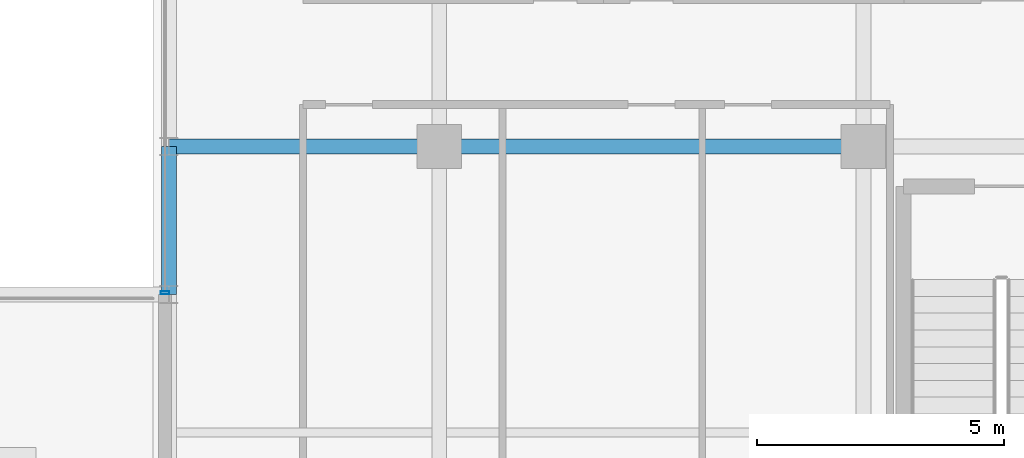
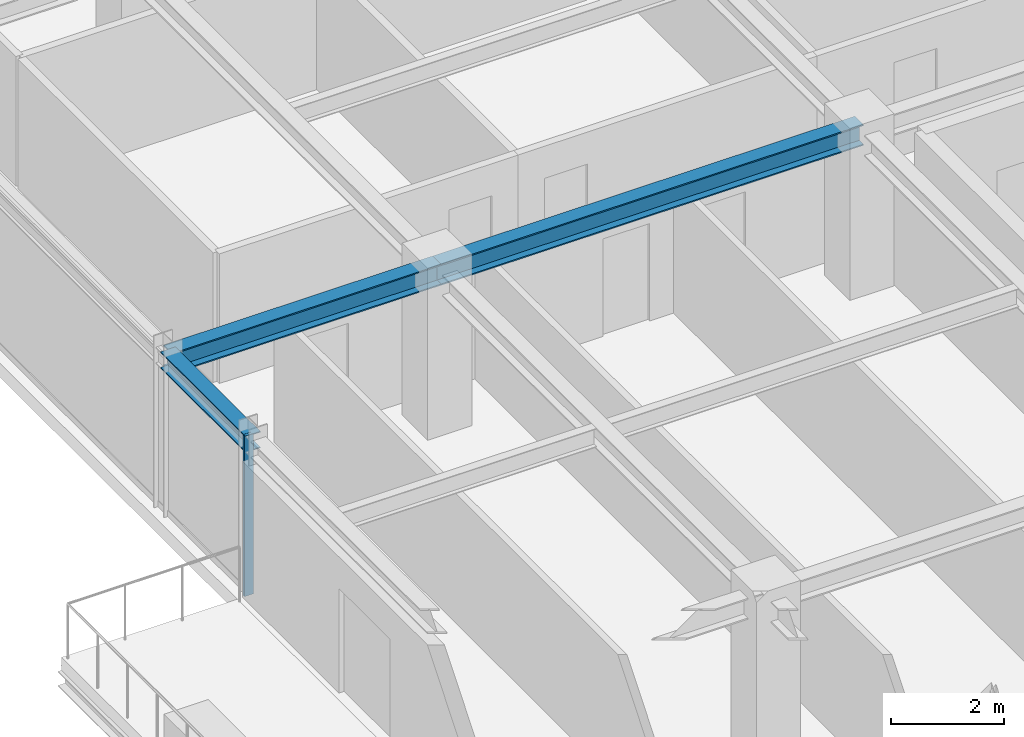
# One storey, part 9 of 31: 3 beams, 1 member, 1 element without a shape of its own.
"""IFC4 building model written with IfcOpenShell, lengths in metres."""

from ifc_helpers import new_model, si_unit, direction, frame, origin, origin_2d, place, context, subcontext, project, spatial, hollow_rectangle, i_section, extrude, source, transform, mapped, material, material_profile, profile_set, type_object, element, aggregate, save


model = new_model("IFC4")

# Units and contexts
model_context = context("Model", 3, precision=1e-05, world=origin(), true_north=direction((0.0, 1.0)))
body_context = subcontext(model_context, "Body", "Model", "MODEL_VIEW")
ifc_project = project(units=[si_unit("LENGTHUNIT", "METRE"), si_unit("AREAUNIT", "SQUARE_METRE"), si_unit("VOLUMEUNIT", "CUBIC_METRE"), si_unit("PLANEANGLEUNIT", "RADIAN"), si_unit("MASSUNIT", "GRAM", prefix="KILO")], contexts=[model_context])

# Site, building, storey
site_placement = place(None, origin())
site = spatial("IfcSite", under=ifc_project, at=site_placement, CompositionType="ELEMENT")
building_placement = place(site_placement, origin())
building = spatial("IfcBuilding", under=site, at=building_placement, Name="Nahalor Promenade Grand Hotel", CompositionType="ELEMENT")
storey_placement = place(building_placement, frame((0.0, 0.0, 277.550048828125)))
storey = spatial("IfcBuildingStorey", under=building, at=storey_placement, Name="L71", CompositionType="ELEMENT", Elevation=277.550048828125)

# Beams
ifc_material_1 = material(Name="Steel S355JR", Category="steel")
ifc_material_profile_1 = material_profile(ifc_material_1, i_section(OverallWidth=0.3, OverallDepth=0.45, WebThickness=0.014, FlangeThickness=0.026, at=origin_2d()), Name="HEB 450")
ifc_profile_set_1 = profile_set([ifc_material_profile_1], Name="Steel S355JR")
beam_type_1 = type_object("IfcBeamType", Name="Beam-Girder-HEB450", PredefinedType="BEAM", material=ifc_profile_set_1)
shared_shape_1 = source(origin(), body_context, "Body", "SweptSolid", [
    extrude(i_section(OverallWidth=0.3, OverallDepth=0.45, WebThickness=0.014, FlangeThickness=0.026, at=origin_2d()), origin(), (0.0, 0.0, 1.0), 8.60009765625),
])
beam_1_placement = place(storey_placement, frame((-17.0, -5.39990234375, 3.224853515625), z_axis=(1.0, 0.0, 0.0), x_axis=(0.0, 1.0, 0.0)))
element("IfcBeam", 1, at=beam_1_placement, inside=storey, type_object=beam_type_1, Name="BM-L71-GX-1-1", PredefinedType="BEAM", context=body_context, shape_type="MappedRepresentation", body=[
    mapped(shared_shape_1, transform((0.0, 0.0, 0.0), scale=1.0)),
])
shared_shape_2 = source(origin(), body_context, "Body", "SweptSolid", [
    extrude(i_section(OverallWidth=0.3, OverallDepth=0.45, WebThickness=0.014, FlangeThickness=0.026, at=origin_2d()), origin(), (0.0, 0.0, 1.0), 5.47998046875),
])
beam_2_placement = place(storey_placement, frame((-22.47998046875, -5.39990234375, 3.224853515625), z_axis=(1.0, 0.0, 0.0), x_axis=(0.0, 1.0, 0.0)))
element("IfcBeam", 2, at=beam_2_placement, inside=storey, type_object=beam_type_1, Name="BM-L71-GX-1-0", PredefinedType="BEAM", context=body_context, shape_type="MappedRepresentation", body=[
    mapped(shared_shape_2, transform((0.0, 0.0, 0.0), scale=1.0)),
])
ifc_material_profile_2 = material_profile(ifc_material_1, i_section(OverallWidth=0.3, OverallDepth=0.36, WebThickness=0.0125, FlangeThickness=0.0225, at=origin_2d()), Name="HEB 360")
ifc_profile_set_2 = profile_set([ifc_material_profile_2], Name="Steel S355JR")
beam_type_2 = type_object("IfcBeamType", Name="Beam-Spandrel-HEB360", PredefinedType="SPANDREL", material=ifc_profile_set_2)
shared_shape_3 = source(origin(), body_context, "Body", "SweptSolid", [
    extrude(i_section(OverallWidth=0.3, OverallDepth=0.36, WebThickness=0.0125, FlangeThickness=0.0225, at=origin_2d()), origin(), (0.0, 0.0, 1.0), 3.0),
])
beam_3_placement = place(storey_placement, frame((-22.47998046875, -8.39990234375, 3.27001953125), z_axis=(0.0, 1.0, 0.0), x_axis=(-1.0, 0.0, 0.0)))
element("IfcBeam", 3, at=beam_3_placement, inside=storey, type_object=beam_type_2, Name="BM-L71-SP-W-1", PredefinedType="SPANDREL", context=body_context, shape_type="MappedRepresentation", body=[
    mapped(shared_shape_3, transform((0.0, 0.0, 0.0), scale=1.0)),
])

# Curtain wall, member
ifc_material_2 = material(Name="Anodised Bronze Aluminium EN AW-6063 T6", Category="aluminium")
curtain_wall_type = type_object("IfcCurtainWallType", Name="CW2 Typical Hotel Flush Bronze Unitised Curtain Wall", PredefinedType="USERDEFINED", material=ifc_material_2)
curtain_wall_placement = place(storey_placement, origin())
curtain_wall = element("IfcCurtainWall", 4, at=curtain_wall_placement, inside=storey, type_object=curtain_wall_type, Name="L71 Curtain Wall CW-L71-W-3", ObjectType="UNITISED_CURTAIN_WALL", PredefinedType="USERDEFINED")
ifc_material_profile_3 = material_profile(ifc_material_2, hollow_rectangle(XDim=0.065, YDim=0.18, WallThickness=0.004, at=origin_2d()), Name="CWM 65x180x4")
ifc_profile_set_3 = profile_set([ifc_material_profile_3], Name="Anodised Bronze Aluminium EN AW-6063 T6")
member_type = type_object("IfcMemberType", Name="CWM2 Typical Bronze Mullion 65x180", PredefinedType="MULLION", material=ifc_profile_set_3)
shared_shape_4 = source(origin(), body_context, "Body", "SweptSolid", [
    extrude(hollow_rectangle(XDim=0.065, YDim=0.18, WallThickness=0.004, at=origin_2d()), origin(), (0.0, 0.0, 1.0), 3.449951171875),
])
member_placement = place(storey_placement, frame((-22.56005859375, -8.367431640625, 0.0), z_axis=(0.0, 0.0, 1.0), x_axis=(0.0, 1.0, 0.0)))
member = element("IfcMember", 5, at=member_placement, type_object=member_type, Name="CW-L71-W-3 Mullion 0", PredefinedType="MULLION", context=body_context, shape_type="MappedRepresentation", body=[
    mapped(shared_shape_4, transform((0.0, 0.0, 0.0), scale=1.0)),
])
aggregate(curtain_wall, [member])

save(model, "model.ifc")
